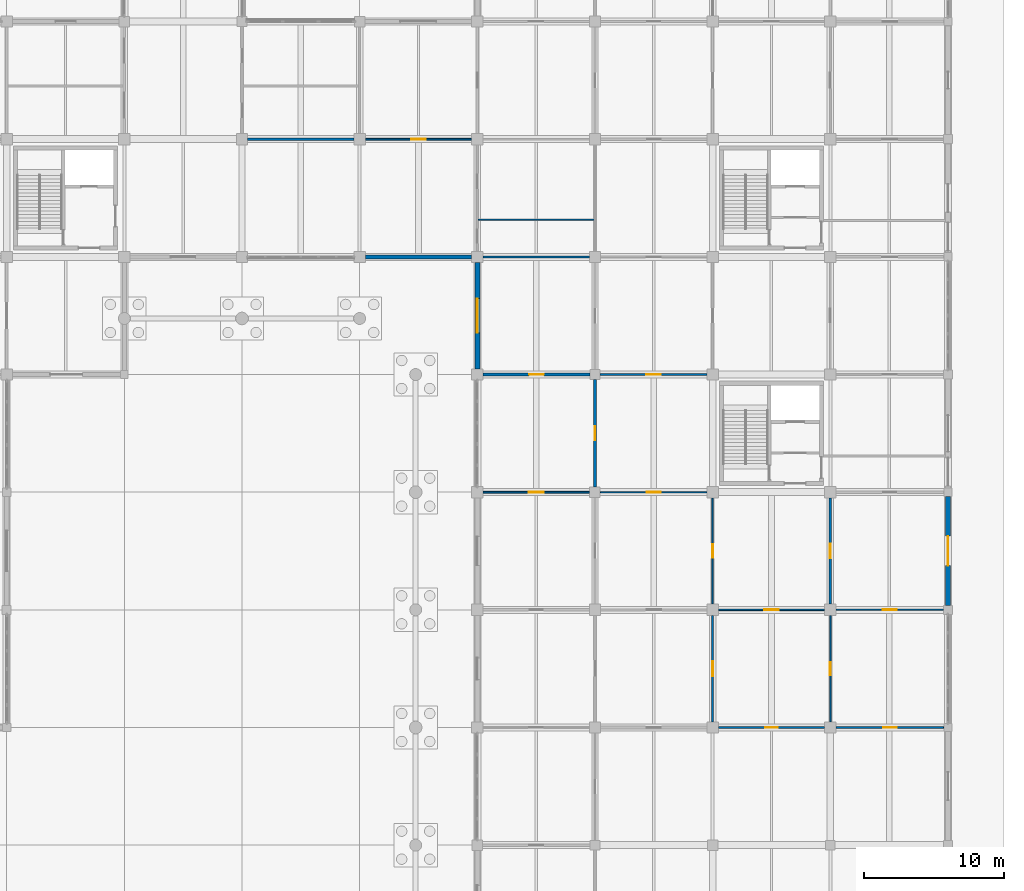
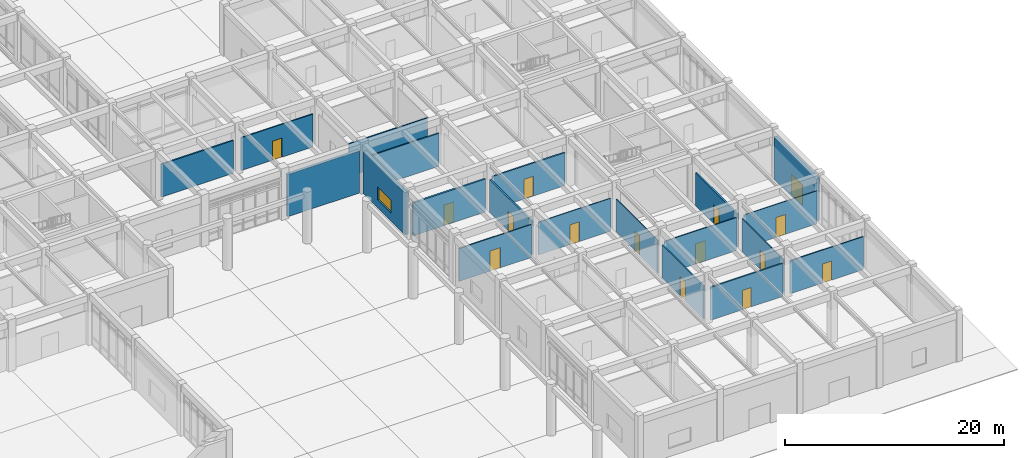
# One storey, part 78 of 91: 20 walls, 15 doors, 1 window, 16 openings.
"""IFC4 building model written with IfcOpenShell, lengths in metres."""

from ifc_helpers import new_model, si_unit, direction, frame, frame_2d, origin, place, context, subcontext, project, spatial, rectangle, extrude, material, layer, layer_set, type_object, element, fill, save


model = new_model("IFC4")

# Units and contexts
model_context = context("Model", 3, precision=1e-05, world=origin(), true_north=direction((0.0, 1.0)))
body_context = subcontext(model_context, "Body", "Model", "MODEL_VIEW")
ifc_project = project(units=[si_unit("LENGTHUNIT", "METRE"), si_unit("AREAUNIT", "SQUARE_METRE"), si_unit("VOLUMEUNIT", "CUBIC_METRE"), si_unit("PLANEANGLEUNIT", "RADIAN"), si_unit("MASSUNIT", "GRAM", prefix="KILO")], contexts=[model_context])

# Site, building, storey
site_placement = place(None, origin())
site = spatial("IfcSite", under=ifc_project, at=site_placement, CompositionType="ELEMENT")
building_placement = place(site_placement, origin())
building = spatial("IfcBuilding", under=site, at=building_placement, Name="Porcellanite Civic Hall", CompositionType="ELEMENT")
storey_placement = place(building_placement, origin())
storey = spatial("IfcBuildingStorey", under=building, at=storey_placement, Name="L00", CompositionType="ELEMENT", Elevation=0.0)

# Wall
ifc_material_1 = material(Name="Precast concrete N40 (40 MPa)", Category="concrete")
ifc_layer_1 = layer(ifc_material_1, 0.280029296875)
ifc_layer_set_1 = layer_set([ifc_layer_1], Name="Precast concrete N40 (40 MPa)")
wall_type_1 = type_object("IfcWallType", Name="EW-CLO280", PredefinedType="SOLIDWALL", material=ifc_layer_set_1)
wall_1_placement = place(storey_placement, frame((142.39892578125, 50.39990234375, 0.0), z_axis=(0.0, 0.0, 1.0), x_axis=(-1.0, 0.0, 0.0)))
element("IfcWall", 1, at=wall_1_placement, inside=storey, type_object=wall_type_1, Name="Exterior wall L00 S 17-7", PredefinedType="SOLIDWALL", context=body_context, shape_type="SweptSolid", body=[
    extrude(rectangle(XDim=7.597900390625, YDim=0.280029296875, at=frame_2d((3.798828125, 0.0))), origin(), (0.0, 0.0, 1.0), 4.699951171875),
])

# Wall, opening, window
ifc_material_2 = material(Name="Precast concrete N40 (40 MPa)", Category="concrete")
ifc_layer_2 = layer(ifc_material_2, 0.360107421875)
ifc_layer_set_2 = layer_set([ifc_layer_2], Name="Precast concrete N40 (40 MPa)")
wall_type_2 = type_object("IfcWallType", Name="EW-LIB360", PredefinedType="SOLIDWALL", material=ifc_layer_set_2)
wall_2_placement = place(storey_placement, frame((142.800048828125, 42.40087890625, 0.0), z_axis=(0.0, 0.0, 1.0), x_axis=(0.0, 1.0, 0.0)))
wall_2 = element("IfcWall", 2, at=wall_2_placement, inside=storey, type_object=wall_type_2, Name="Exterior wall L00 W 18-6", PredefinedType="SOLIDWALL", context=body_context, shape_type="SweptSolid", body=[
    extrude(rectangle(XDim=7.59814453125, YDim=0.360107421875, at=frame_2d((3.799072265625, 0.0))), origin(), (0.0, 0.0, 1.0), 4.699951171875),
])
opening_1_placement = place(wall_2_placement, frame((2.573974609375, 0.0, 0.89990234375)))
opening_1 = element("IfcOpeningElement", 3, at=opening_1_placement, cuts=wall_2, Name="Opening W40", PredefinedType="OPENING", context=body_context, shape_type="SweptSolid", body=[
    extrude(rectangle(XDim=2.449951171875, YDim=1.449951171875, at=frame_2d((1.22509765625, 0.72509765625))), frame((0.0, 0.18017578125, 0.0), z_axis=(0.0, -1.0, 0.0), x_axis=(1.0, 0.0, 0.0)), (0.0, 0.0, 1.0), 0.360107421875),
])
ifc_material_3 = material(Name="Cyclone laminated low-E glazing in anodised aluminium frame", Category="aluminium")
window_type = type_object("IfcWindowType", Name="WN-40", PartitioningType="DOUBLE_PANEL_VERTICAL", PredefinedType="WINDOW", material=ifc_material_3)
window_placement = place(opening_1_placement, origin())
window = element("IfcWindow", 4, at=window_placement, inside=storey, type_object=window_type, Name="Window W40 L00 W 18-6", OverallHeight=1.449951171875, OverallWidth=2.449951171875, PartitioningType="SINGLE_PANEL", PredefinedType="WINDOW", context=body_context, shape_type="SweptSolid", body=[
    extrude(rectangle(XDim=2.449951171875, YDim=1.449951171875, at=frame_2d((1.22509765625, 0.72509765625))), frame((0.0, 0.030029296875, 0.0), z_axis=(0.0, -1.0, 0.0), x_axis=(1.0, 0.0, 0.0)), (0.0, 0.0, 1.0), 0.06005859375),
])
fill(opening_1, window)

# Wall, opening, door
wall_3_placement = place(storey_placement, frame((176.39990234375, 33.299072265625, 0.0), z_axis=(0.0, 0.0, 1.0), x_axis=(0.0, -1.0, 0.0)))
wall_3 = element("IfcWall", 5, at=wall_3_placement, inside=storey, type_object=wall_type_2, Name="Exterior wall L00 E 21-4", PredefinedType="SOLIDWALL", context=body_context, shape_type="SweptSolid", body=[
    extrude(rectangle(XDim=7.773193359375, YDim=0.360107421875, at=frame_2d((3.88671875, 0.0))), origin(), (0.0, 0.0, 1.0), 4.699951171875),
])
opening_2_placement = place(wall_3_placement, frame((2.8369140625, 0.0, 0.0)))
opening_2 = element("IfcOpeningElement", 6, at=opening_2_placement, cuts=wall_3, Name="Opening ED-14", PredefinedType="OPENING", context=body_context, shape_type="SweptSolid", body=[
    extrude(rectangle(XDim=2.10009765625, YDim=2.25, at=frame_2d((1.050048828125, 1.125))), frame((0.0, 0.18017578125, 0.0), z_axis=(0.0, -1.0, 0.0), x_axis=(1.0, 0.0, 0.0)), (0.0, 0.0, 1.0), 0.360107421875),
])
ifc_material_4 = material(Name="Anodised aluminium and laminated safety glass", Category="aluminium")
door_type_1 = type_object("IfcDoorType", Name="DR-EXIT190", OperationType="DOUBLE_DOOR_SINGLE_SWING", PredefinedType="DOOR", material=ifc_material_4)
door_1_placement = place(opening_2_placement, origin())
door_1 = element("IfcDoor", 7, at=door_1_placement, inside=storey, type_object=door_type_1, Name="Pedestrian final exit door ED-14", OperationType="DOUBLE_DOOR_SINGLE_SWING", OverallHeight=2.25, OverallWidth=2.10009765625, PredefinedType="DOOR", context=body_context, shape_type="SweptSolid", body=[
    extrude(rectangle(XDim=2.10009765625, YDim=2.25, at=frame_2d((1.050048828125, 1.125))), frame((0.0, 0.02490234375, 0.0), z_axis=(0.0, -1.0, 0.0), x_axis=(1.0, 0.0, 0.0)), (0.0, 0.0, 1.0), 0.050048828125),
])
fill(opening_2, door_1)

ifc_material_5 = material(Name="Insulated acoustic plasterboard on light-gauge steel studs", Category="steel")
ifc_layer_3 = layer(ifc_material_5, 0.087890625)
ifc_layer_set_3 = layer_set([ifc_layer_3], Name="Insulated acoustic plasterboard on light-gauge steel studs")
wall_type_3 = type_object("IfcWallType", Name="IW-PT088", PredefinedType="PARTITIONING", material=ifc_layer_set_3)
wall_4_placement = place(storey_placement, frame((168.402099609375, 25.199951171875, 0.0), z_axis=(0.0, 0.0, 1.0), x_axis=(1.0, 0.0, 0.0)))
wall_4 = element("IfcWall", 8, at=wall_4_placement, inside=storey, type_object=wall_type_3, Name="Partition L00 H 21-3", PredefinedType="PARTITIONING", context=body_context, shape_type="SweptSolid", body=[
    extrude(rectangle(XDim=7.6708984375, YDim=0.087890625, at=frame_2d((3.83544921875, 0.0))), origin(), (0.0, 0.0, 1.0), 3.659912109375),
])
opening_3_placement = place(wall_4_placement, frame((3.3359375, 0.0, 0.0)))
opening_3 = element("IfcOpeningElement", 9, at=opening_3_placement, cuts=wall_4, Name="Opening D-L00-147", PredefinedType="OPENING", context=body_context, shape_type="SweptSolid", body=[
    extrude(rectangle(XDim=1.0, YDim=2.199951171875, at=frame_2d((0.5, 1.10009765625))), frame((0.0, 0.0439453125, 0.0), z_axis=(0.0, -1.0, 0.0), x_axis=(1.0, 0.0, 0.0)), (0.0, 0.0, 1.0), 0.087890625),
])
ifc_material_6 = material(Name="Solid-core spotted-gum timber", Category="wood")
door_type_2 = type_object("IfcDoorType", Name="DR-RM100", OperationType="NOTDEFINED", PredefinedType="DOOR", material=ifc_material_6)
door_2_placement = place(opening_3_placement, origin())
door_2 = element("IfcDoor", 10, at=door_2_placement, inside=storey, type_object=door_type_2, Name="Interior door D-L00-147", OperationType="SINGLE_SWING_LEFT", OverallHeight=2.199951171875, OverallWidth=1.0, PredefinedType="DOOR", context=body_context, shape_type="SweptSolid", body=[
    extrude(rectangle(XDim=1.0, YDim=2.199951171875, at=frame_2d((0.5, 1.10009765625))), frame((0.0, 0.02490234375, 0.0), z_axis=(0.0, -1.0, 0.0), x_axis=(1.0, 0.0, 0.0)), (0.0, 0.0, 1.0), 0.050048828125),
])
fill(opening_3, door_2)

ifc_material_7 = material(Name="Insulated acoustic plasterboard on light-gauge steel studs", Category="steel")
ifc_layer_4 = layer(ifc_material_7, 0.094970703125)
ifc_layer_set_4 = layer_set([ifc_layer_4], Name="Insulated acoustic plasterboard on light-gauge steel studs")
wall_type_4 = type_object("IfcWallType", Name="IW-PT095", PredefinedType="PARTITIONING", material=ifc_layer_set_4)
wall_5_placement = place(storey_placement, frame((151.576904296875, 33.60009765625, 0.0), z_axis=(0.0, 0.0, 1.0), x_axis=(1.0, 0.0, 0.0)))
wall_5 = element("IfcWall", 11, at=wall_5_placement, inside=storey, type_object=wall_type_4, Name="Partition L00 H 19-4", PredefinedType="PARTITIONING", context=body_context, shape_type="SweptSolid", body=[
    extrude(rectangle(XDim=7.62109375, YDim=0.094970703125, at=frame_2d((3.810546875, 0.0))), origin(), (0.0, 0.0, 1.0), 3.659912109375),
])
opening_4_placement = place(wall_5_placement, frame((3.31103515625, 0.0, 0.0)))
opening_4 = element("IfcOpeningElement", 12, at=opening_4_placement, cuts=wall_5, Name="Opening D-L00-108", PredefinedType="OPENING", context=body_context, shape_type="SweptSolid", body=[
    extrude(rectangle(XDim=1.0, YDim=2.199951171875, at=frame_2d((0.5, 1.10009765625))), frame((0.0, 0.04736328125, 0.0), z_axis=(0.0, -1.0, 0.0), x_axis=(1.0, 0.0, 0.0)), (0.0, 0.0, 1.0), 0.094970703125),
])
door_3_placement = place(opening_4_placement, origin())
door_3 = element("IfcDoor", 13, at=door_3_placement, inside=storey, type_object=door_type_2, Name="Interior door D-L00-108", OperationType="SINGLE_SWING_LEFT", OverallHeight=2.199951171875, OverallWidth=1.0, PredefinedType="DOOR", context=body_context, shape_type="SweptSolid", body=[
    extrude(rectangle(XDim=1.0, YDim=2.199951171875, at=frame_2d((0.5, 1.10009765625))), frame((0.0, 0.02490234375, 0.0), z_axis=(0.0, -1.0, 0.0), x_axis=(1.0, 0.0, 0.0)), (0.0, 0.0, 1.0), 0.050048828125),
])
fill(opening_4, door_3)

wall_6_placement = place(storey_placement, frame((159.60009765625, 25.60205078125, 0.0), z_axis=(0.0, 0.0, 1.0), x_axis=(0.0, 1.0, 0.0)))
wall_6 = element("IfcWall", 14, at=wall_6_placement, inside=storey, type_object=wall_type_4, Name="Partition L00 V 19-4", PredefinedType="PARTITIONING", context=body_context, shape_type="SweptSolid", body=[
    extrude(rectangle(XDim=7.595947265625, YDim=0.094970703125, at=frame_2d((3.7978515625, 0.0))), origin(), (0.0, 0.0, 1.0), 3.659912109375),
])
opening_5_placement = place(wall_6_placement, frame((3.327880859375, 0.0, 0.0)))
opening_5 = element("IfcOpeningElement", 15, at=opening_5_placement, cuts=wall_6, Name="Opening D-L00-085", PredefinedType="OPENING", context=body_context, shape_type="SweptSolid", body=[
    extrude(rectangle(XDim=0.93994140625, YDim=2.14990234375, at=frame_2d((0.469970703125, 1.074951171875))), frame((0.0, 0.04736328125, 0.0), z_axis=(0.0, -1.0, 0.0), x_axis=(1.0, 0.0, 0.0)), (0.0, 0.0, 1.0), 0.094970703125),
])
ifc_material_8 = material(Name="Solid-core spotted-gum timber", Category="wood")
door_type_3 = type_object("IfcDoorType", Name="DR-RM094", OperationType="NOTDEFINED", PredefinedType="DOOR", material=ifc_material_8)
door_4_placement = place(opening_5_placement, origin())
door_4 = element("IfcDoor", 16, at=door_4_placement, inside=storey, type_object=door_type_3, Name="Interior door D-L00-085", OperationType="SINGLE_SWING_RIGHT", OverallHeight=2.14990234375, OverallWidth=0.93994140625, PredefinedType="DOOR", context=body_context, shape_type="SweptSolid", body=[
    extrude(rectangle(XDim=0.93994140625, YDim=2.14990234375, at=frame_2d((0.469970703125, 1.074951171875))), frame((0.0, 0.02490234375, 0.0), z_axis=(0.0, -1.0, 0.0), x_axis=(1.0, 0.0, 0.0)), (0.0, 0.0, 1.0), 0.050048828125),
])
fill(opening_5, door_4)

# Wall
wall_7_placement = place(storey_placement, frame((142.864501953125, 53.050048828125, 0.0), z_axis=(0.0, 0.0, 1.0), x_axis=(1.0, 0.0, 0.0)))
element("IfcWall", 17, at=wall_7_placement, inside=storey, type_object=wall_type_4, Name="Partition L00 sub 18-7", PredefinedType="PARTITIONING", context=body_context, shape_type="SweptSolid", body=[
    extrude(rectangle(XDim=8.285888671875, YDim=0.094970703125, at=frame_2d((4.14306640625, 0.0))), origin(), (0.0, 0.0, 1.0), 3.659912109375),
])

# Wall, opening, door
ifc_material_9 = material(Name="Insulated acoustic plasterboard on light-gauge steel studs", Category="steel")
ifc_layer_5 = layer(ifc_material_9, 0.114990234375)
ifc_layer_set_5 = layer_set([ifc_layer_5], Name="Insulated acoustic plasterboard on light-gauge steel studs")
wall_type_5 = type_object("IfcWallType", Name="IW-PT115", PredefinedType="PARTITIONING", material=ifc_layer_set_5)
wall_8_placement = place(storey_placement, frame((160.001953125, 25.199951171875, 0.0), z_axis=(0.0, 0.0, 1.0), x_axis=(1.0, 0.0, 0.0)))
wall_8 = element("IfcWall", 18, at=wall_8_placement, inside=storey, type_object=wall_type_5, Name="Partition L00 H 20-3", PredefinedType="PARTITIONING", context=body_context, shape_type="SweptSolid", body=[
    extrude(rectangle(XDim=7.595947265625, YDim=0.114990234375, at=frame_2d((3.7978515625, 0.0))), origin(), (0.0, 0.0, 1.0), 3.659912109375),
])
opening_6_placement = place(wall_8_placement, frame((3.26806640625, 0.0, 0.0)))
opening_6 = element("IfcOpeningElement", 19, at=opening_6_placement, cuts=wall_8, Name="Opening D-L00-066", PredefinedType="OPENING", context=body_context, shape_type="SweptSolid", body=[
    extrude(rectangle(XDim=1.06005859375, YDim=2.25, at=frame_2d((0.530029296875, 1.125))), frame((0.0, 0.0576171875, 0.0), z_axis=(0.0, -1.0, 0.0), x_axis=(1.0, 0.0, 0.0)), (0.0, 0.0, 1.0), 0.114990234375),
])
ifc_material_10 = material(Name="Solid-core spotted-gum timber", Category="wood")
door_type_4 = type_object("IfcDoorType", Name="DR-RM106", OperationType="NOTDEFINED", PredefinedType="DOOR", material=ifc_material_10)
door_5_placement = place(opening_6_placement, origin())
door_5 = element("IfcDoor", 20, at=door_5_placement, inside=storey, type_object=door_type_4, Name="Interior door D-L00-066", OperationType="SINGLE_SWING_LEFT", OverallHeight=2.25, OverallWidth=1.06005859375, PredefinedType="DOOR", context=body_context, shape_type="SweptSolid", body=[
    extrude(rectangle(XDim=1.06005859375, YDim=2.25, at=frame_2d((0.530029296875, 1.125))), frame((0.0, 0.02490234375, 0.0), z_axis=(0.0, -1.0, 0.0), x_axis=(1.0, 0.0, 0.0)), (0.0, 0.0, 1.0), 0.050048828125),
])
fill(opening_6, door_5)

wall_9_placement = place(storey_placement, frame((168.0, 17.201904296875, 0.0), z_axis=(0.0, 0.0, 1.0), x_axis=(0.0, 1.0, 0.0)))
wall_9 = element("IfcWall", 21, at=wall_9_placement, inside=storey, type_object=wall_type_5, Name="Partition L00 V 20-3", PredefinedType="PARTITIONING", context=body_context, shape_type="SweptSolid", body=[
    extrude(rectangle(XDim=7.59619140625, YDim=0.114990234375, at=frame_2d((3.798095703125, 0.0))), origin(), (0.0, 0.0, 1.0), 3.659912109375),
])
opening_7_placement = place(wall_9_placement, frame((3.3330078125, 0.0, 0.0)))
opening_7 = element("IfcOpeningElement", 22, at=opening_7_placement, cuts=wall_9, Name="Opening D-L00-168", PredefinedType="OPENING", context=body_context, shape_type="SweptSolid", body=[
    extrude(rectangle(XDim=0.929931640625, YDim=2.1201171875, at=frame_2d((0.46484375, 1.06005859375))), frame((0.0, 0.0576171875, 0.0), z_axis=(0.0, -1.0, 0.0), x_axis=(1.0, 0.0, 0.0)), (0.0, 0.0, 1.0), 0.114990234375),
])
ifc_material_11 = material(Name="Solid-core spotted-gum timber", Category="wood")
door_type_5 = type_object("IfcDoorType", Name="DR-RM093", OperationType="NOTDEFINED", PredefinedType="DOOR", material=ifc_material_11)
door_6_placement = place(opening_7_placement, origin())
door_6 = element("IfcDoor", 23, at=door_6_placement, inside=storey, type_object=door_type_5, Name="Interior door D-L00-168", OperationType="SINGLE_SWING_RIGHT", OverallHeight=2.1201171875, OverallWidth=0.929931640625, PredefinedType="DOOR", context=body_context, shape_type="SweptSolid", body=[
    extrude(rectangle(XDim=0.929931640625, YDim=2.1201171875, at=frame_2d((0.46484375, 1.06005859375))), frame((0.0, 0.02490234375, 0.0), z_axis=(0.0, -1.0, 0.0), x_axis=(1.0, 0.0, 0.0)), (0.0, 0.0, 1.0), 0.050048828125),
])
fill(opening_7, door_6)

ifc_material_12 = material(Name="Insulated acoustic plasterboard on light-gauge steel studs", Category="steel")
ifc_layer_6 = layer(ifc_material_12, 0.125)
ifc_layer_set_6 = layer_set([ifc_layer_6], Name="Insulated acoustic plasterboard on light-gauge steel studs")
wall_type_6 = type_object("IfcWallType", Name="IW-PT125", PredefinedType="PARTITIONING", material=ifc_layer_set_6)
wall_10_placement = place(storey_placement, frame((134.802001953125, 58.800048828125, 0.0), z_axis=(0.0, 0.0, 1.0), x_axis=(1.0, 0.0, 0.0)))
wall_10 = element("IfcWall", 24, at=wall_10_placement, inside=storey, type_object=wall_type_6, Name="Partition L00 H 17-7", PredefinedType="PARTITIONING", context=body_context, shape_type="SweptSolid", body=[
    extrude(rectangle(XDim=7.595947265625, YDim=0.125, at=frame_2d((3.7978515625, 0.0))), origin(), (0.0, 0.0, 1.0), 3.659912109375),
])
opening_8_placement = place(wall_10_placement, frame((3.29296875, 0.0, 0.0)))
opening_8 = element("IfcOpeningElement", 25, at=opening_8_placement, cuts=wall_10, Name="Opening D-L00-062", PredefinedType="OPENING", context=body_context, shape_type="SweptSolid", body=[
    extrude(rectangle(XDim=1.010009765625, YDim=2.1201171875, at=frame_2d((0.5048828125, 1.06005859375))), frame((0.0, 0.0625, 0.0), z_axis=(0.0, -1.0, 0.0), x_axis=(1.0, 0.0, 0.0)), (0.0, 0.0, 1.0), 0.125),
])
ifc_material_13 = material(Name="Solid-core spotted-gum timber", Category="wood")
door_type_6 = type_object("IfcDoorType", Name="DR-RM101", OperationType="NOTDEFINED", PredefinedType="DOOR", material=ifc_material_13)
door_7_placement = place(opening_8_placement, origin())
door_7 = element("IfcDoor", 26, at=door_7_placement, inside=storey, type_object=door_type_6, Name="Interior door D-L00-062", OperationType="SINGLE_SWING_LEFT", OverallHeight=2.1201171875, OverallWidth=1.010009765625, PredefinedType="DOOR", context=body_context, shape_type="SweptSolid", body=[
    extrude(rectangle(XDim=1.010009765625, YDim=2.1201171875, at=frame_2d((0.5048828125, 1.06005859375))), frame((0.0, 0.02490234375, 0.0), z_axis=(0.0, -1.0, 0.0), x_axis=(1.0, 0.0, 0.0)), (0.0, 0.0, 1.0), 0.050048828125),
])
fill(opening_8, door_7)

wall_11_placement = place(storey_placement, frame((143.201904296875, 33.60009765625, 0.0), z_axis=(0.0, 0.0, 1.0), x_axis=(1.0, 0.0, 0.0)))
wall_11 = element("IfcWall", 27, at=wall_11_placement, inside=storey, type_object=wall_type_6, Name="Partition L00 H 18-4", PredefinedType="PARTITIONING", context=body_context, shape_type="SweptSolid", body=[
    extrude(rectangle(XDim=7.62109375, YDim=0.125, at=frame_2d((3.810546875, 0.0))), origin(), (0.0, 0.0, 1.0), 3.659912109375),
])
opening_9_placement = place(wall_11_placement, frame((3.27099609375, 0.0, 0.0)))
opening_9 = element("IfcOpeningElement", 28, at=opening_9_placement, cuts=wall_11, Name="Opening D-L00-104", PredefinedType="OPENING", context=body_context, shape_type="SweptSolid", body=[
    extrude(rectangle(XDim=1.080078125, YDim=2.25, at=frame_2d((0.5400390625, 1.125))), frame((0.0, 0.0625, 0.0), z_axis=(0.0, -1.0, 0.0), x_axis=(1.0, 0.0, 0.0)), (0.0, 0.0, 1.0), 0.125),
])
ifc_material_14 = material(Name="Solid-core spotted-gum timber", Category="wood")
door_type_7 = type_object("IfcDoorType", Name="DR-RM108", OperationType="NOTDEFINED", PredefinedType="DOOR", material=ifc_material_14)
door_8_placement = place(opening_9_placement, origin())
door_8 = element("IfcDoor", 29, at=door_8_placement, inside=storey, type_object=door_type_7, Name="Interior door D-L00-104", OperationType="SINGLE_SWING_LEFT", OverallHeight=2.25, OverallWidth=1.080078125, PredefinedType="DOOR", context=body_context, shape_type="SweptSolid", body=[
    extrude(rectangle(XDim=1.080078125, YDim=2.25, at=frame_2d((0.5400390625, 1.125))), frame((0.0, 0.02490234375, 0.0), z_axis=(0.0, -1.0, 0.0), x_axis=(1.0, 0.0, 0.0)), (0.0, 0.0, 1.0), 0.050048828125),
])
fill(opening_9, door_8)

ifc_material_15 = material(Name="Insulated acoustic plasterboard on light-gauge steel studs", Category="steel")
ifc_layer_7 = layer(ifc_material_15, 0.135009765625)
ifc_layer_set_7 = layer_set([ifc_layer_7], Name="Insulated acoustic plasterboard on light-gauge steel studs")
wall_type_7 = type_object("IfcWallType", Name="IW-PT135", PredefinedType="PARTITIONING", material=ifc_layer_set_7)
wall_12_placement = place(storey_placement, frame((168.402099609375, 16.800048828125, 0.0), z_axis=(0.0, 0.0, 1.0), x_axis=(1.0, 0.0, 0.0)))
wall_12 = element("IfcWall", 30, at=wall_12_placement, inside=storey, type_object=wall_type_7, Name="Partition L00 H 21-2", PredefinedType="PARTITIONING", context=body_context, shape_type="SweptSolid", body=[
    extrude(rectangle(XDim=7.69580078125, YDim=0.135009765625, at=frame_2d((3.847900390625, 0.0))), origin(), (0.0, 0.0, 1.0), 3.659912109375),
])
opening_10_placement = place(wall_12_placement, frame((3.363037109375, 0.0, 0.0)))
opening_10 = element("IfcOpeningElement", 31, at=opening_10_placement, cuts=wall_12, Name="Opening D-L00-115", PredefinedType="OPENING", context=body_context, shape_type="SweptSolid", body=[
    extrude(rectangle(XDim=0.969970703125, YDim=2.1201171875, at=frame_2d((0.48486328125, 1.06005859375))), frame((0.0, 0.0673828125, 0.0), z_axis=(0.0, -1.0, 0.0), x_axis=(1.0, 0.0, 0.0)), (0.0, 0.0, 1.0), 0.135009765625),
])
ifc_material_16 = material(Name="Solid-core spotted-gum timber", Category="wood")
door_type_8 = type_object("IfcDoorType", Name="DR-RM097", OperationType="NOTDEFINED", PredefinedType="DOOR", material=ifc_material_16)
door_9_placement = place(opening_10_placement, origin())
door_9 = element("IfcDoor", 32, at=door_9_placement, inside=storey, type_object=door_type_8, Name="Interior door D-L00-115", OperationType="SINGLE_SWING_RIGHT", OverallHeight=2.1201171875, OverallWidth=0.969970703125, PredefinedType="DOOR", context=body_context, shape_type="SweptSolid", body=[
    extrude(rectangle(XDim=0.969970703125, YDim=2.1201171875, at=frame_2d((0.48486328125, 1.06005859375))), frame((0.0, 0.02490234375, 0.0), z_axis=(0.0, -1.0, 0.0), x_axis=(1.0, 0.0, 0.0)), (0.0, 0.0, 1.0), 0.050048828125),
])
fill(opening_10, door_9)

# Wall
ifc_material_17 = material(Name="Insulated acoustic plasterboard on light-gauge steel studs", Category="steel")
ifc_layer_8 = layer(ifc_material_17, 0.14501953125)
ifc_layer_set_8 = layer_set([ifc_layer_8], Name="Insulated acoustic plasterboard on light-gauge steel studs")
wall_type_8 = type_object("IfcWallType", Name="IW-PT145", PredefinedType="PARTITIONING", material=ifc_layer_set_8)
wall_13_placement = place(storey_placement, frame((143.201904296875, 50.39990234375, 0.0), z_axis=(0.0, 0.0, 1.0), x_axis=(1.0, 0.0, 0.0)))
element("IfcWall", 33, at=wall_13_placement, inside=storey, type_object=wall_type_8, Name="Partition L00 H 18-6", PredefinedType="PARTITIONING", context=body_context, shape_type="SweptSolid", body=[
    extrude(rectangle(XDim=7.59619140625, YDim=0.14501953125, at=frame_2d((3.798095703125, 0.0))), origin(), (0.0, 0.0, 1.0), 3.659912109375),
])

# Wall, opening, door
wall_14_placement = place(storey_placement, frame((159.60009765625, 17.201904296875, 0.0), z_axis=(0.0, 0.0, 1.0), x_axis=(0.0, 1.0, 0.0)))
wall_14 = element("IfcWall", 34, at=wall_14_placement, inside=storey, type_object=wall_type_8, Name="Partition L00 V 19-3", PredefinedType="PARTITIONING", context=body_context, shape_type="SweptSolid", body=[
    extrude(rectangle(XDim=7.59619140625, YDim=0.14501953125, at=frame_2d((3.798095703125, 0.0))), origin(), (0.0, 0.0, 1.0), 3.659912109375),
])
opening_11_placement = place(wall_14_placement, frame((3.27294921875, 0.0, 0.0)))
opening_11 = element("IfcOpeningElement", 35, at=opening_11_placement, cuts=wall_14, Name="Opening D-L00-165", PredefinedType="OPENING", context=body_context, shape_type="SweptSolid", body=[
    extrude(rectangle(XDim=1.050048828125, YDim=2.1201171875, at=frame_2d((0.52490234375, 1.06005859375))), frame((0.0, 0.072509765625, 0.0), z_axis=(0.0, -1.0, 0.0), x_axis=(1.0, 0.0, 0.0)), (0.0, 0.0, 1.0), 0.14501953125),
])
ifc_material_18 = material(Name="Solid-core spotted-gum timber", Category="wood")
door_type_9 = type_object("IfcDoorType", Name="DR-RM105", OperationType="NOTDEFINED", PredefinedType="DOOR", material=ifc_material_18)
door_10_placement = place(opening_11_placement, origin())
door_10 = element("IfcDoor", 36, at=door_10_placement, inside=storey, type_object=door_type_9, Name="Interior door D-L00-165", OperationType="SINGLE_SWING_LEFT", OverallHeight=2.1201171875, OverallWidth=1.050048828125, PredefinedType="DOOR", context=body_context, shape_type="SweptSolid", body=[
    extrude(rectangle(XDim=1.050048828125, YDim=2.1201171875, at=frame_2d((0.52490234375, 1.06005859375))), frame((0.0, 0.02490234375, 0.0), z_axis=(0.0, -1.0, 0.0), x_axis=(1.0, 0.0, 0.0)), (0.0, 0.0, 1.0), 0.050048828125),
])
fill(opening_11, door_10)

# Wall
ifc_material_19 = material(Name="Insulated acoustic plasterboard on light-gauge steel studs", Category="steel")
ifc_layer_9 = layer(ifc_material_19, 0.155029296875)
ifc_layer_set_9 = layer_set([ifc_layer_9], Name="Insulated acoustic plasterboard on light-gauge steel studs")
wall_type_9 = type_object("IfcWallType", Name="IW-PT155", PredefinedType="PARTITIONING", material=ifc_layer_set_9)
wall_15_placement = place(storey_placement, frame((126.402099609375, 58.800048828125, 0.0), z_axis=(0.0, 0.0, 1.0), x_axis=(1.0, 0.0, 0.0)))
element("IfcWall", 37, at=wall_15_placement, inside=storey, type_object=wall_type_9, Name="Partition L00 H 16-7", PredefinedType="PARTITIONING", context=body_context, shape_type="SweptSolid", body=[
    extrude(rectangle(XDim=7.595947265625, YDim=0.155029296875, at=frame_2d((3.7978515625, 0.0))), origin(), (0.0, 0.0, 1.0), 3.659912109375),
])

# Wall, opening, door
ifc_material_20 = material(Name="Insulated acoustic plasterboard on light-gauge steel studs", Category="steel")
ifc_layer_10 = layer(ifc_material_20, 0.1650390625)
ifc_layer_set_10 = layer_set([ifc_layer_10], Name="Insulated acoustic plasterboard on light-gauge steel studs")
wall_type_10 = type_object("IfcWallType", Name="IW-PT165", PredefinedType="PARTITIONING", material=ifc_layer_set_10)
wall_16_placement = place(storey_placement, frame((151.552001953125, 42.0, 0.0), z_axis=(0.0, 0.0, 1.0), x_axis=(1.0, 0.0, 0.0)))
wall_16 = element("IfcWall", 38, at=wall_16_placement, inside=storey, type_object=wall_type_10, Name="Partition L00 H 19-5", PredefinedType="PARTITIONING", context=body_context, shape_type="SweptSolid", body=[
    extrude(rectangle(XDim=7.64599609375, YDim=0.1650390625, at=frame_2d((3.822998046875, 0.0))), origin(), (0.0, 0.0, 1.0), 3.659912109375),
])
opening_12_placement = place(wall_16_placement, frame((3.31298828125, 0.0, 0.0)))
opening_12 = element("IfcOpeningElement", 39, at=opening_12_placement, cuts=wall_16, Name="Opening D-L00-146", PredefinedType="OPENING", context=body_context, shape_type="SweptSolid", body=[
    extrude(rectangle(XDim=1.02001953125, YDim=2.199951171875, at=frame_2d((0.510009765625, 1.10009765625))), frame((0.0, 0.08251953125, 0.0), z_axis=(0.0, -1.0, 0.0), x_axis=(1.0, 0.0, 0.0)), (0.0, 0.0, 1.0), 0.1650390625),
])
ifc_material_21 = material(Name="Solid-core spotted-gum timber", Category="wood")
door_type_10 = type_object("IfcDoorType", Name="DR-RM102", OperationType="NOTDEFINED", PredefinedType="DOOR", material=ifc_material_21)
door_11_placement = place(opening_12_placement, origin())
door_11 = element("IfcDoor", 40, at=door_11_placement, inside=storey, type_object=door_type_10, Name="Interior door D-L00-146", OperationType="SINGLE_SWING_RIGHT", OverallHeight=2.199951171875, OverallWidth=1.02001953125, PredefinedType="DOOR", context=body_context, shape_type="SweptSolid", body=[
    extrude(rectangle(XDim=1.02001953125, YDim=2.199951171875, at=frame_2d((0.510009765625, 1.10009765625))), frame((0.0, 0.02490234375, 0.0), z_axis=(0.0, -1.0, 0.0), x_axis=(1.0, 0.0, 0.0)), (0.0, 0.0, 1.0), 0.050048828125),
])
fill(opening_12, door_11)

wall_17_placement = place(storey_placement, frame((160.001953125, 16.800048828125, 0.0), z_axis=(0.0, 0.0, 1.0), x_axis=(1.0, 0.0, 0.0)))
wall_17 = element("IfcWall", 41, at=wall_17_placement, inside=storey, type_object=wall_type_10, Name="Partition L00 H 20-2", PredefinedType="PARTITIONING", context=body_context, shape_type="SweptSolid", body=[
    extrude(rectangle(XDim=7.595947265625, YDim=0.1650390625, at=frame_2d((3.7978515625, 0.0))), origin(), (0.0, 0.0, 1.0), 3.659912109375),
])
opening_13_placement = place(wall_17_placement, frame((3.337890625, 0.0, 0.0)))
opening_13 = element("IfcOpeningElement", 42, at=opening_13_placement, cuts=wall_17, Name="Opening D-L00-112", PredefinedType="OPENING", context=body_context, shape_type="SweptSolid", body=[
    extrude(rectangle(XDim=0.919921875, YDim=2.14990234375, at=frame_2d((0.4599609375, 1.074951171875))), frame((0.0, 0.08251953125, 0.0), z_axis=(0.0, -1.0, 0.0), x_axis=(1.0, 0.0, 0.0)), (0.0, 0.0, 1.0), 0.1650390625),
])
ifc_material_22 = material(Name="Solid-core spotted-gum timber", Category="wood")
door_type_11 = type_object("IfcDoorType", Name="DR-RM092", OperationType="NOTDEFINED", PredefinedType="DOOR", material=ifc_material_22)
door_12_placement = place(opening_13_placement, origin())
door_12 = element("IfcDoor", 43, at=door_12_placement, inside=storey, type_object=door_type_11, Name="Interior door D-L00-112", OperationType="SINGLE_SWING_LEFT", OverallHeight=2.14990234375, OverallWidth=0.919921875, PredefinedType="DOOR", context=body_context, shape_type="SweptSolid", body=[
    extrude(rectangle(XDim=0.919921875, YDim=2.14990234375, at=frame_2d((0.4599609375, 1.074951171875))), frame((0.0, 0.02490234375, 0.0), z_axis=(0.0, -1.0, 0.0), x_axis=(1.0, 0.0, 0.0)), (0.0, 0.0, 1.0), 0.050048828125),
])
fill(opening_13, door_12)

ifc_material_23 = material(Name="Insulated acoustic plasterboard on light-gauge steel studs", Category="steel")
ifc_layer_11 = layer(ifc_material_23, 0.18505859375)
ifc_layer_set_11 = layer_set([ifc_layer_11], Name="Insulated acoustic plasterboard on light-gauge steel studs")
wall_type_11 = type_object("IfcWallType", Name="IW-PT185", PredefinedType="PARTITIONING", material=ifc_layer_set_11)
wall_18_placement = place(storey_placement, frame((168.0, 25.60205078125, 0.0), z_axis=(0.0, 0.0, 1.0), x_axis=(0.0, 1.0, 0.0)))
wall_18 = element("IfcWall", 44, at=wall_18_placement, inside=storey, type_object=wall_type_11, Name="Partition L00 V 20-4", PredefinedType="PARTITIONING", context=body_context, shape_type="SweptSolid", body=[
    extrude(rectangle(XDim=7.595947265625, YDim=0.18505859375, at=frame_2d((3.7978515625, 0.0))), origin(), (0.0, 0.0, 1.0), 3.659912109375),
])
opening_14_placement = place(wall_18_placement, frame((3.29296875, 0.0, 0.0)))
opening_14 = element("IfcOpeningElement", 45, at=opening_14_placement, cuts=wall_18, Name="Opening D-L00-088", PredefinedType="OPENING", context=body_context, shape_type="SweptSolid", body=[
    extrude(rectangle(XDim=1.010009765625, YDim=2.1201171875, at=frame_2d((0.5048828125, 1.06005859375))), frame((0.0, 0.092529296875, 0.0), z_axis=(0.0, -1.0, 0.0), x_axis=(1.0, 0.0, 0.0)), (0.0, 0.0, 1.0), 0.18505859375),
])
door_13_placement = place(opening_14_placement, origin())
door_13 = element("IfcDoor", 46, at=door_13_placement, inside=storey, type_object=door_type_6, Name="Interior door D-L00-088", OperationType="SINGLE_SWING_LEFT", OverallHeight=2.1201171875, OverallWidth=1.010009765625, PredefinedType="DOOR", context=body_context, shape_type="SweptSolid", body=[
    extrude(rectangle(XDim=1.010009765625, YDim=2.1201171875, at=frame_2d((0.5048828125, 1.06005859375))), frame((0.0, 0.02490234375, 0.0), z_axis=(0.0, -1.0, 0.0), x_axis=(1.0, 0.0, 0.0)), (0.0, 0.0, 1.0), 0.050048828125),
])
fill(opening_14, door_13)

ifc_material_24 = material(Name="Insulated acoustic plasterboard on light-gauge steel studs", Category="steel")
ifc_layer_12 = layer(ifc_material_24, 0.195068359375)
ifc_layer_set_12 = layer_set([ifc_layer_12], Name="Insulated acoustic plasterboard on light-gauge steel studs")
wall_type_12 = type_object("IfcWallType", Name="IW-PT195", PredefinedType="PARTITIONING", material=ifc_layer_set_12)
wall_19_placement = place(storey_placement, frame((143.201904296875, 42.0, 0.0), z_axis=(0.0, 0.0, 1.0), x_axis=(1.0, 0.0, 0.0)))
wall_19 = element("IfcWall", 47, at=wall_19_placement, inside=storey, type_object=wall_type_12, Name="Partition L00 H 18-5", PredefinedType="PARTITIONING", context=body_context, shape_type="SweptSolid", body=[
    extrude(rectangle(XDim=7.64599609375, YDim=0.195068359375, at=frame_2d((3.822998046875, 0.0))), origin(), (0.0, 0.0, 1.0), 3.659912109375),
])
opening_15_placement = place(wall_19_placement, frame((3.29296875, 0.0, 0.0)))
opening_15 = element("IfcOpeningElement", 48, at=opening_15_placement, cuts=wall_19, Name="Opening D-L00-105", PredefinedType="OPENING", context=body_context, shape_type="SweptSolid", body=[
    extrude(rectangle(XDim=1.06005859375, YDim=2.25, at=frame_2d((0.530029296875, 1.125))), frame((0.0, 0.09765625, 0.0), z_axis=(0.0, -1.0, 0.0), x_axis=(1.0, 0.0, 0.0)), (0.0, 0.0, 1.0), 0.195068359375),
])
door_14_placement = place(opening_15_placement, origin())
door_14 = element("IfcDoor", 49, at=door_14_placement, inside=storey, type_object=door_type_4, Name="Interior door D-L00-105", OperationType="SINGLE_SWING_RIGHT", OverallHeight=2.25, OverallWidth=1.06005859375, PredefinedType="DOOR", context=body_context, shape_type="SweptSolid", body=[
    extrude(rectangle(XDim=1.06005859375, YDim=2.25, at=frame_2d((0.530029296875, 1.125))), frame((0.0, 0.02490234375, 0.0), z_axis=(0.0, -1.0, 0.0), x_axis=(1.0, 0.0, 0.0)), (0.0, 0.0, 1.0), 0.050048828125),
])
fill(opening_15, door_14)

wall_20_placement = place(storey_placement, frame((151.199951171875, 33.97705078125, 0.0), z_axis=(0.0, 0.0, 1.0), x_axis=(0.0, 1.0, 0.0)))
wall_20 = element("IfcWall", 50, at=wall_20_placement, inside=storey, type_object=wall_type_12, Name="Partition L00 V 18-5", PredefinedType="PARTITIONING", context=body_context, shape_type="SweptSolid", body=[
    extrude(rectangle(XDim=7.6708984375, YDim=0.195068359375, at=frame_2d((3.83544921875, 0.0))), origin(), (0.0, 0.0, 1.0), 3.659912109375),
])
opening_16_placement = place(wall_20_placement, frame((3.3359375, 0.0, 0.0)))
opening_16 = element("IfcOpeningElement", 51, at=opening_16_placement, cuts=wall_20, Name="Opening D-L00-160", PredefinedType="OPENING", context=body_context, shape_type="SweptSolid", body=[
    extrude(rectangle(XDim=1.0, YDim=2.199951171875, at=frame_2d((0.5, 1.10009765625))), frame((0.0, 0.09765625, 0.0), z_axis=(0.0, -1.0, 0.0), x_axis=(1.0, 0.0, 0.0)), (0.0, 0.0, 1.0), 0.195068359375),
])
door_15_placement = place(opening_16_placement, origin())
door_15 = element("IfcDoor", 52, at=door_15_placement, inside=storey, type_object=door_type_2, Name="Interior door D-L00-160", OperationType="SINGLE_SWING_RIGHT", OverallHeight=2.199951171875, OverallWidth=1.0, PredefinedType="DOOR", context=body_context, shape_type="SweptSolid", body=[
    extrude(rectangle(XDim=1.0, YDim=2.199951171875, at=frame_2d((0.5, 1.10009765625))), frame((0.0, 0.02490234375, 0.0), z_axis=(0.0, -1.0, 0.0), x_axis=(1.0, 0.0, 0.0)), (0.0, 0.0, 1.0), 0.050048828125),
])
fill(opening_16, door_15)

save(model, "model.ifc")
